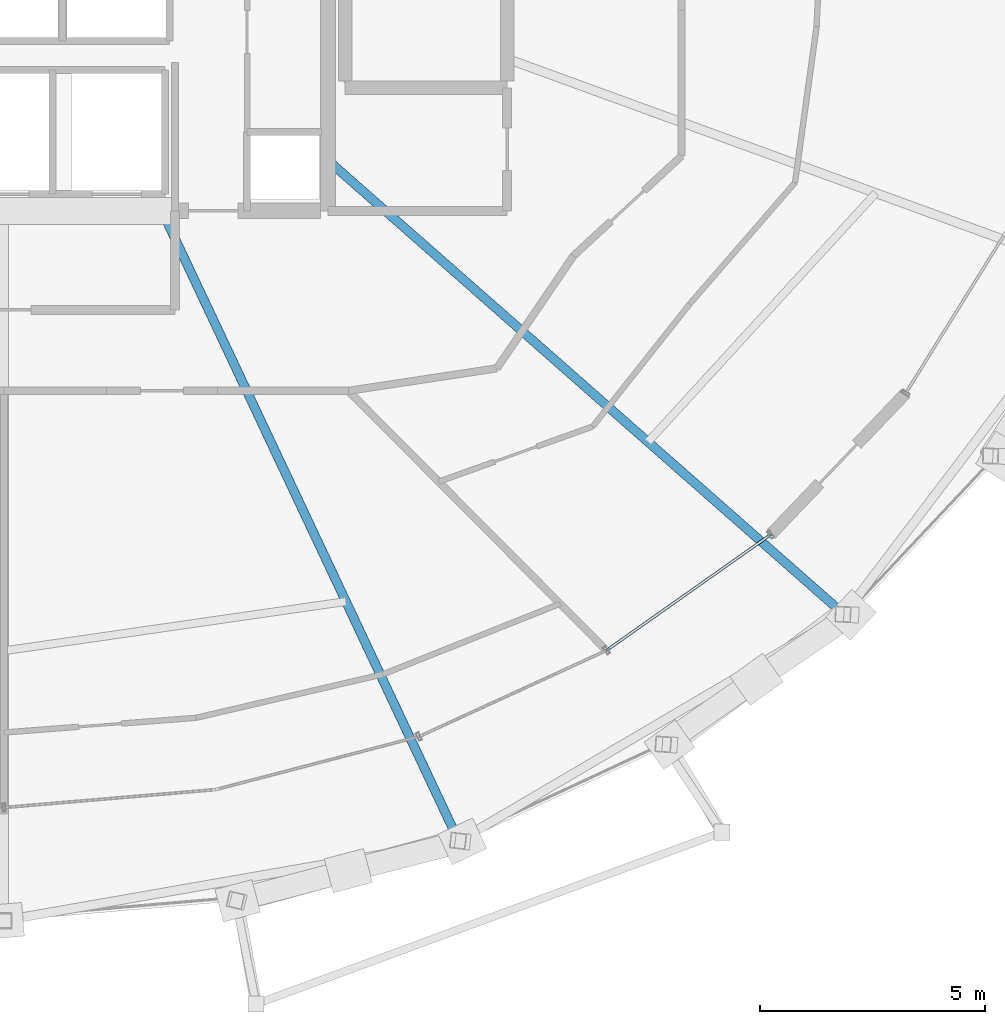
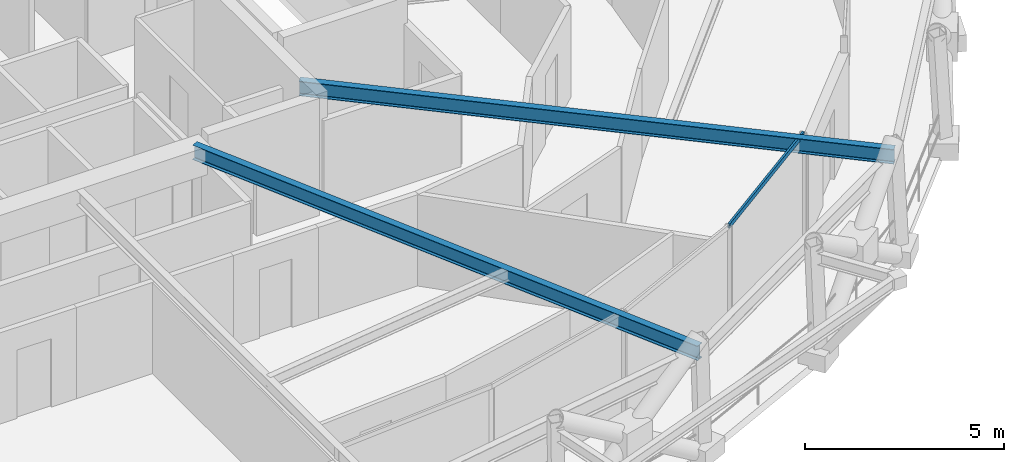
# One storey, part 5 of 17: 2 beams, 1 member, 1 element without a shape of its own.
"""IFC4 building model written with IfcOpenShell, lengths in metres."""

from ifc_helpers import new_model, si_unit, direction, frame, origin, origin_2d, place, context, subcontext, project, spatial, hollow_rectangle, i_section, extrude, material, layer, layer_set, material_profile, profile_set, type_object, element, aggregate, save


model = new_model("IFC4")

# Units and contexts
model_context = context("Model", 3, precision=1e-05, world=origin(), true_north=direction((0.0, 1.0)))
body_context = subcontext(model_context, "Body", "Model", "MODEL_VIEW")
ifc_project = project(units=[si_unit("LENGTHUNIT", "METRE"), si_unit("AREAUNIT", "SQUARE_METRE"), si_unit("VOLUMEUNIT", "CUBIC_METRE"), si_unit("PLANEANGLEUNIT", "RADIAN"), si_unit("MASSUNIT", "GRAM", prefix="KILO")], contexts=[model_context])

# Site, building, storey
site_placement = place(None, origin())
site = spatial("IfcSite", under=ifc_project, at=site_placement, CompositionType="ELEMENT")
building_placement = place(site_placement, origin())
building = spatial("IfcBuilding", under=site, at=building_placement, Name="Veldorina Hangang Commons", CompositionType="ELEMENT")
storey_placement = place(building_placement, frame((0.0, 0.0, 196.39990234375)))
storey = spatial("IfcBuildingStorey", under=building, at=storey_placement, Name="L51", CompositionType="ELEMENT", Elevation=196.39990234375)

# Beams
ifc_material_1 = material(Name="Steel SM355-TMC", Category="steel")
ifc_material_profile_1 = material_profile(ifc_material_1, i_section(OverallWidth=0.199951171875, OverallDepth=0.449951171875, WebThickness=0.009033203125, FlangeThickness=0.013916015625, FilletRadius=0.01611328125, at=origin_2d()), Name="H-450x200x9x14")
ifc_profile_set_1 = profile_set([ifc_material_profile_1], Name="Steel SM355-TMC")
beam_type = type_object("IfcBeamType", Name="BM-FG450", PredefinedType="BEAM", material=ifc_profile_set_1)
beam_1_placement = place(storey_placement, frame((35.50830078125, 16.550048828125, 3.125), z_axis=(0.426043196032, -0.904702821436, 0.0), x_axis=(0.904702821436, 0.426043196032, 0.0)))
element("IfcBeam", 1, at=beam_1_placement, inside=storey, type_object=beam_type, Name="L51 radial floor girder 14", PredefinedType="BEAM", context=body_context, shape_type="SweptSolid", body=[
    extrude(i_section(OverallWidth=0.199951171875, OverallDepth=0.449951171875, WebThickness=0.009033203125, FlangeThickness=0.013916015625, FilletRadius=0.01611328125, at=origin_2d()), origin(), (0.0, 0.0, 1.0), 15.474365234375),
])
beam_2_placement = place(storey_placement, frame((39.199951171875, 17.6669921875, 3.125), z_axis=(0.750872417712, -0.660447282013, 0.0), x_axis=(0.660447282013, 0.750872417712, 0.0)))
element("IfcBeam", 2, at=beam_2_placement, inside=storey, type_object=beam_type, Name="L51 radial floor girder 15", PredefinedType="BEAM", context=body_context, shape_type="SweptSolid", body=[
    extrude(i_section(OverallWidth=0.199951171875, OverallDepth=0.449951171875, WebThickness=0.009033203125, FlangeThickness=0.013916015625, FilletRadius=0.01611328125, at=origin_2d()), origin(), (0.0, 0.0, 1.0), 15.26806640625),
])

# Curtain wall, member
ifc_material_2 = material(Name="Glass Low-E Triple IGU", Category="glass")
ifc_layer = layer(ifc_material_2, 0.179931640625)
ifc_layer_set = layer_set([ifc_layer], Name="Glass Low-E Triple IGU")
curtain_wall_type = type_object("IfcCurtainWallType", Name="CW-SYS-Z2", PredefinedType="NOTDEFINED", material=ifc_layer_set)
curtain_wall_placement = place(storey_placement, origin())
curtain_wall = element("IfcCurtainWall", 3, at=curtain_wall_placement, inside=storey, type_object=curtain_wall_type, Name="L51 unitised curtain wall CW-L51-R1", PredefinedType="NOTDEFINED")
ifc_material_3 = material(Name="Aluminium Anodized AA6063-T6", Category="aluminium")
ifc_material_profile_2 = material_profile(ifc_material_3, hollow_rectangle(XDim=0.06005859375, YDim=0.139892578125, WallThickness=0.00341796875, at=origin_2d()), Name="ALU-RHS-140x60x3.5")
ifc_profile_set_2 = profile_set([ifc_material_profile_2], Name="Aluminium Anodized AA6063-T6")
member_type = type_object("IfcMemberType", Name="CW-TRN-140", PredefinedType="USERDEFINED", material=ifc_profile_set_2)
member_placement = place(storey_placement, frame((45.384765625, 6.782470703125, 3.27001953125), z_axis=(0.817149561562, 0.576425705568, 0.0), x_axis=(-0.576425705568, 0.817149561562, 0.0)))
member = element("IfcMember", 4, at=member_placement, type_object=member_type, Name="CW-L51-R1 facet 4 transom 1", ObjectType="TRANSOM", PredefinedType="USERDEFINED", context=body_context, shape_type="SweptSolid", body=[
    extrude(hollow_rectangle(XDim=0.06005859375, YDim=0.139892578125, WallThickness=0.00341796875, at=origin_2d()), origin(), (0.0, 0.0, 1.0), 4.467529296875),
])
aggregate(curtain_wall, [member])

save(model, "model.ifc")
